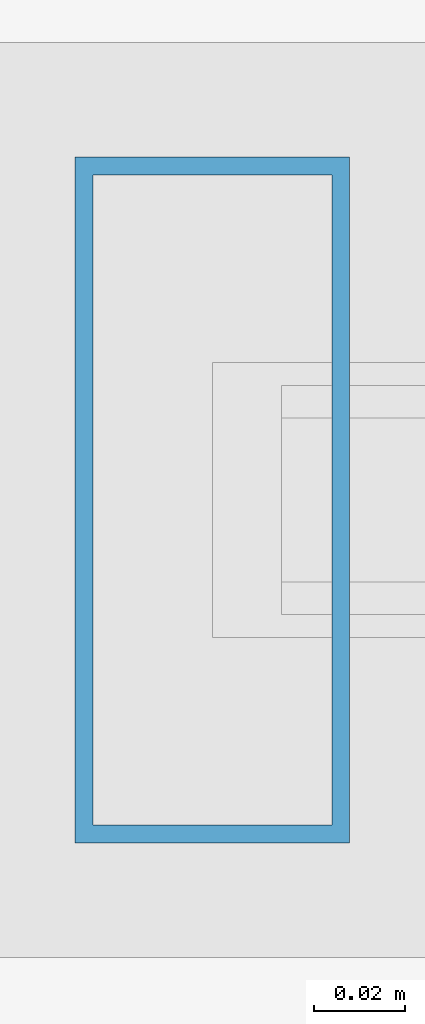
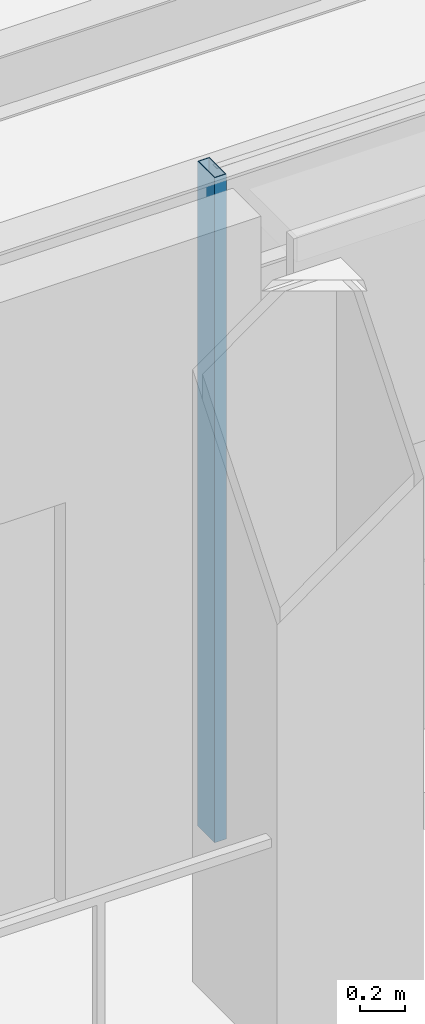
# One storey, part 5 of 27: 1 member, 1 element without a shape of its own.
"""IFC4 building model written with IfcOpenShell, lengths in metres."""

from ifc_helpers import new_model, si_unit, direction, frame, origin, origin_2d, place, context, subcontext, project, spatial, hollow_rectangle, extrude, material, layer, layer_set, material_profile, profile_set, type_object, element, aggregate, save


model = new_model("IFC4")

# Units and contexts
model_context = context("Model", 3, precision=1e-05, world=origin(), true_north=direction((0.0, 1.0)))
body_context = subcontext(model_context, "Body", "Model", "MODEL_VIEW")
ifc_project = project(units=[si_unit("LENGTHUNIT", "METRE"), si_unit("AREAUNIT", "SQUARE_METRE"), si_unit("VOLUMEUNIT", "CUBIC_METRE"), si_unit("PLANEANGLEUNIT", "RADIAN"), si_unit("MASSUNIT", "GRAM", prefix="KILO")], contexts=[model_context])

# Site, building, storey
site_placement = place(None, origin())
site = spatial("IfcSite", under=ifc_project, at=site_placement, CompositionType="ELEMENT")
building_placement = place(site_placement, origin())
building = spatial("IfcBuilding", under=site, at=building_placement, Name="Brelmoor Portico Tower", CompositionType="ELEMENT")
storey_placement = place(building_placement, frame((0.0, 0.0, 258.0)))
storey = spatial("IfcBuildingStorey", under=building, at=storey_placement, Name="L68", CompositionType="ELEMENT", Elevation=258.0)

# Curtain wall, member
ifc_material = material(Name="Anodised Aluminium Alloy 6063-T6", Category="aluminium")
ifc_layer = layer(ifc_material, 0.179931640625)
ifc_layer_set = layer_set([ifc_layer], Name="Anodised Aluminium Alloy 6063-T6")
curtain_wall_type = type_object("IfcCurtainWallType", Name="CW-TOWER-Z4", PredefinedType="NOTDEFINED", material=ifc_layer_set)
curtain_wall_placement = place(storey_placement, origin())
curtain_wall = element("IfcCurtainWall", 1, at=curtain_wall_placement, inside=storey, type_object=curtain_wall_type, Name="L68 Curtain Wall CW-L68-1R-1", PredefinedType="NOTDEFINED")
ifc_material_profile = material_profile(ifc_material, hollow_rectangle(XDim=0.06005859375, YDim=0.14990234375, WallThickness=0.00390625, at=origin_2d()), Name="ALU MULLION 60x150")
ifc_profile_set = profile_set([ifc_material_profile], Name="Anodised Aluminium Alloy 6063-T6")
member_type = type_object("IfcMemberType", Name="MB-CW-MULL-150", PredefinedType="MULLION", material=ifc_profile_set)
member_placement = place(storey_placement, frame((-2.0, -17.550048828125, -0.199951171875), z_axis=(0.0, 0.0, 1.0), x_axis=(1.0, 0.0, 0.0)))
member = element("IfcMember", 2, at=member_placement, type_object=member_type, Name="CW-L68-1R-1 Mullion 00", PredefinedType="MULLION", context=body_context, shape_type="SweptSolid", body=[
    extrude(hollow_rectangle(XDim=0.06005859375, YDim=0.14990234375, WallThickness=0.00390625, at=origin_2d()), origin(), (0.0, 0.0, 1.0), 3.599853515625),
])
aggregate(curtain_wall, [member])

save(model, "model.ifc")
